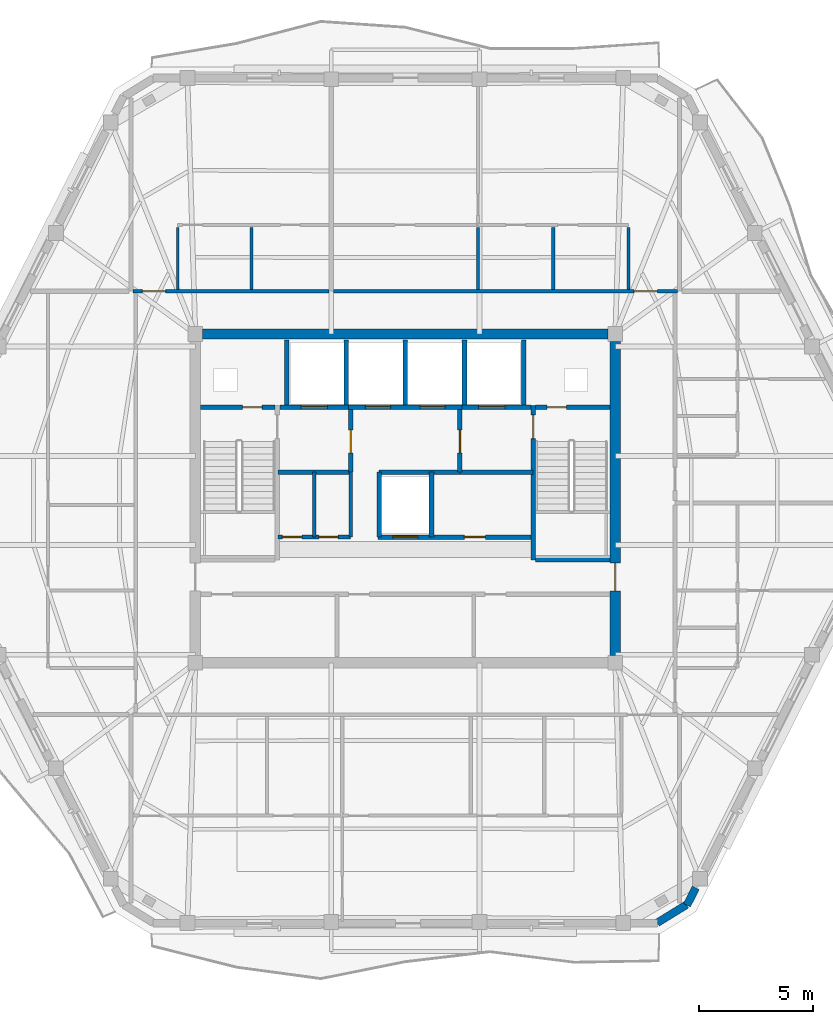
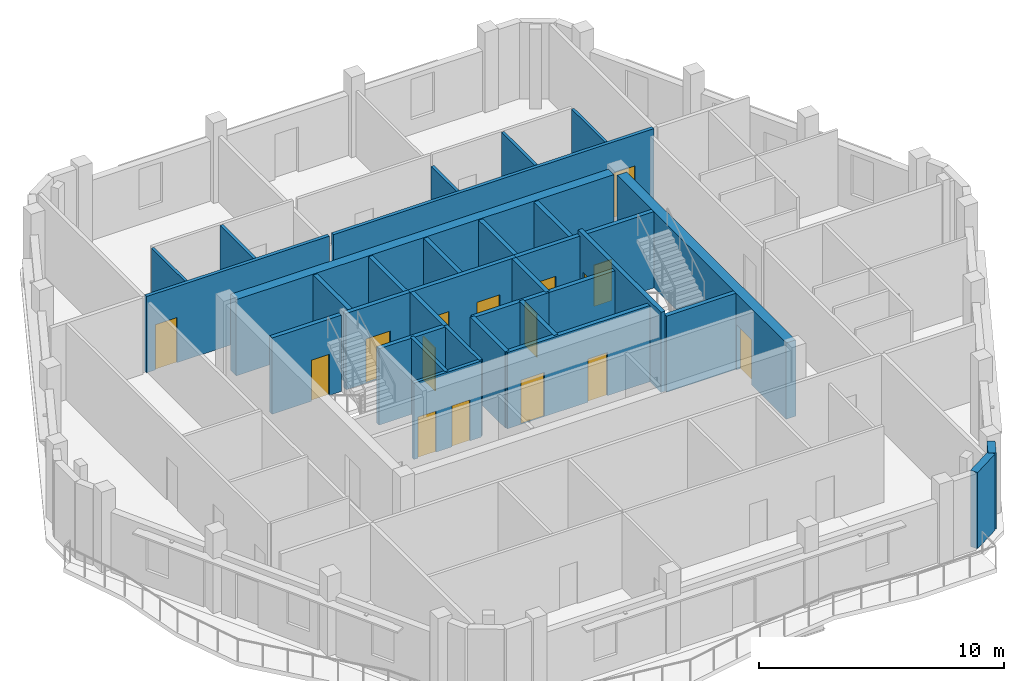
# One storey, part 5 of 10: 34 walls, 16 doors, 16 openings.
"""IFC4 building model written with IfcOpenShell, lengths in metres."""

from ifc_helpers import new_model, si_unit, direction, frame, frame_2d, origin, place, context, subcontext, project, spatial, rectangle, extrude, material, layer, layer_set, type_object, element, fill, save


model = new_model("IFC4")

# Units and contexts
model_context = context("Model", 3, precision=1e-05, world=origin(), true_north=direction((0.0, 1.0)))
body_context = subcontext(model_context, "Body", "Model", "MODEL_VIEW")
ifc_project = project(units=[si_unit("LENGTHUNIT", "METRE"), si_unit("AREAUNIT", "SQUARE_METRE"), si_unit("VOLUMEUNIT", "CUBIC_METRE"), si_unit("PLANEANGLEUNIT", "RADIAN"), si_unit("MASSUNIT", "GRAM", prefix="KILO")], contexts=[model_context])

# Site, building, storey
site_placement = place(None, origin())
site = spatial("IfcSite", under=ifc_project, at=site_placement, CompositionType="ELEMENT")
building_placement = place(site_placement, origin())
building = spatial("IfcBuilding", under=site, at=building_placement, Name="Cinnabar Lancet Tower", CompositionType="ELEMENT")
storey_placement = place(building_placement, frame((0.0, 0.0, 287.5)))
storey = spatial("IfcBuildingStorey", under=building, at=storey_placement, Name="L76", CompositionType="ELEMENT", Elevation=287.5)

# Wall, openings, doors
ifc_material_1 = material(Name="Acoustic twin-stud gypsum partition", Category="gypsum")
ifc_layer_1 = layer(ifc_material_1, 0.159912109375)
ifc_layer_set_1 = layer_set([ifc_layer_1], Name="Acoustic twin-stud gypsum partition")
wall_type_1 = type_object("IfcWallType", Name="ARC-WL-CORR-160", PredefinedType="PARTITIONING", material=ifc_layer_set_1)
wall_1_placement = place(storey_placement, frame((26.800048828125, 24.199951171875, 0.0), z_axis=(0.0, 0.0, 1.0), x_axis=(1.0, 0.0, 0.0)))
wall_1 = element("IfcWall", 1, at=wall_1_placement, inside=storey, type_object=wall_type_1, Name="CW-REC5S-L76", PredefinedType="PARTITIONING", context=body_context, shape_type="SweptSolid", body=[
    extrude(rectangle(XDim=3.199951171875, YDim=0.159912109375, at=frame_2d((1.60009765625, 0.0))), origin(), (0.0, 0.0, 1.0), 3.800048828125),
])
opening_1_placement = place(wall_1_placement, frame((0.199951171875, 0.0, 0.0)))
opening_1 = element("IfcOpeningElement", 2, at=opening_1_placement, cuts=wall_1, Name="Opening PD-02", PredefinedType="OPENING", context=body_context, shape_type="SweptSolid", body=[
    extrude(rectangle(XDim=0.85009765625, YDim=2.050048828125, at=frame_2d((0.425048828125, 1.02490234375))), frame((0.0, 0.08984375, 0.0), z_axis=(0.0, -1.0, 0.0), x_axis=(1.0, 0.0, 0.0)), (0.0, 0.0, 1.0), 0.179931640625),
])
opening_2_placement = place(wall_1_placement, frame((1.800048828125, 0.0, 0.0)))
opening_2 = element("IfcOpeningElement", 3, at=opening_2_placement, cuts=wall_1, Name="Opening PD-02", PredefinedType="OPENING", context=body_context, shape_type="SweptSolid", body=[
    extrude(rectangle(XDim=0.85009765625, YDim=2.050048828125, at=frame_2d((0.425048828125, 1.02490234375))), frame((0.0, 0.08984375, 0.0), z_axis=(0.0, -1.0, 0.0), x_axis=(1.0, 0.0, 0.0)), (0.0, 0.0, 1.0), 0.179931640625),
])
ifc_material_2 = material(Name="Fire-rated steel riser access door", Category="steel")
door_type_1 = type_object("IfcDoorType", Name="ARC-DR-RISER", OperationType="NOTDEFINED", PredefinedType="DOOR", material=ifc_material_2)
door_1_placement = place(opening_1_placement, origin())
door_1 = element("IfcDoor", 4, at=door_1_placement, inside=storey, type_object=door_type_1, Name="DR-L76-REC5A", OperationType="SINGLE_SWING_LEFT", OverallHeight=2.050048828125, OverallWidth=0.85009765625, PredefinedType="DOOR", context=body_context, shape_type="SweptSolid", body=[
    extrude(rectangle(XDim=0.85009765625, YDim=2.050048828125, at=frame_2d((0.425048828125, 1.02490234375))), frame((0.0, 0.02490234375, 0.0), z_axis=(0.0, -1.0, 0.0), x_axis=(1.0, 0.0, 0.0)), (0.0, 0.0, 1.0), 0.050048828125),
])
fill(opening_1, door_1)
door_2_placement = place(opening_2_placement, origin())
door_2 = element("IfcDoor", 5, at=door_2_placement, inside=storey, type_object=door_type_1, Name="DR-L76-REC5B", OperationType="SINGLE_SWING_RIGHT", OverallHeight=2.050048828125, OverallWidth=0.85009765625, PredefinedType="DOOR", context=body_context, shape_type="SweptSolid", body=[
    extrude(rectangle(XDim=0.85009765625, YDim=2.050048828125, at=frame_2d((0.425048828125, 1.02490234375))), frame((0.0, 0.02490234375, 0.0), z_axis=(0.0, -1.0, 0.0), x_axis=(1.0, 0.0, 0.0)), (0.0, 0.0, 1.0), 0.050048828125),
])
fill(opening_2, door_2)

# Walls
for number, where, z_axis, x_axis, name in (
    (6, (30.0, 24.199951171875, 0.0), (0.0, 0.0, 1.0), (0.0, 1.0, 0.0), "CW-REC5E-L76"),
    (7, (28.39990234375, 24.199951171875, 0.0), (0.0, 0.0, 1.0), (0.0, 1.0, 0.0), "CW-REC5D-L76"),
):
    element("IfcWall", number, at=place(storey_placement, frame(where, z_axis=z_axis, x_axis=x_axis)), inside=storey, type_object=wall_type_1, Name=name, PredefinedType="PARTITIONING", context=body_context, shape_type="SweptSolid", body=[
        extrude(rectangle(XDim=2.85009765625, YDim=0.159912109375, at=frame_2d((1.425048828125, 0.0))), origin(), (0.0, 0.0, 1.0), 3.800048828125),
    ])

# Wall, opening, door
wall_2_placement = place(storey_placement, frame((20.445068359375, 35.0, 0.0), z_axis=(0.0, 0.0, 1.0), x_axis=(1.0, 0.0, 0.0)))
wall_2 = element("IfcWall", 8, at=wall_2_placement, inside=storey, type_object=wall_type_1, Name="L76 Unit N01 Corridor Wall", PredefinedType="PARTITIONING", context=body_context, shape_type="SweptSolid", body=[
    extrude(rectangle(XDim=8.60595703125, YDim=0.159912109375, at=frame_2d((4.302978515625, 0.0))), origin(), (0.0, 0.0, 1.0), 3.800048828125),
])
opening_3_placement = place(wall_2_placement, frame((0.405029296875, 0.0, 0.0)))
opening_3 = element("IfcOpeningElement", 9, at=opening_3_placement, cuts=wall_2, Name="Opening UD-01", PredefinedType="OPENING", context=body_context, shape_type="SweptSolid", body=[
    extrude(rectangle(XDim=1.02001953125, YDim=2.25, at=frame_2d((0.510009765625, 1.125))), frame((0.0, 0.08984375, 0.0), z_axis=(0.0, -1.0, 0.0), x_axis=(1.0, 0.0, 0.0)), (0.0, 0.0, 1.0), 0.179931640625),
])
ifc_material_3 = material(Name="Solid timber fire-rated apartment entrance door", Category="wood")
door_type_2 = type_object("IfcDoorType", Name="ARC-DR-UNIT", OperationType="NOTDEFINED", PredefinedType="DOOR", material=ifc_material_3)
door_3_placement = place(opening_3_placement, origin())
door_3 = element("IfcDoor", 10, at=door_3_placement, inside=storey, type_object=door_type_2, Name="DR-L76-N01-ENT", OperationType="SINGLE_SWING_LEFT", OverallHeight=2.25, OverallWidth=1.02001953125, PredefinedType="DOOR", context=body_context, shape_type="SweptSolid", body=[
    extrude(rectangle(XDim=1.02001953125, YDim=2.25, at=frame_2d((0.510009765625, 1.125))), frame((0.0, 0.02490234375, 0.0), z_axis=(0.0, -1.0, 0.0), x_axis=(1.0, 0.0, 0.0)), (0.0, 0.0, 1.0), 0.050048828125),
])
fill(opening_3, door_3)

wall_3_placement = place(storey_placement, frame((29.240966796875, 35.0, 0.0), z_axis=(0.0, 0.0, 1.0), x_axis=(1.0, 0.0, 0.0)))
wall_3 = element("IfcWall", 11, at=wall_3_placement, inside=storey, type_object=wall_type_1, Name="L76 Unit N02 Corridor Wall", PredefinedType="PARTITIONING", context=body_context, shape_type="SweptSolid", body=[
    extrude(rectangle(XDim=15.114013671875, YDim=0.159912109375, at=frame_2d((7.55712890625, 0.0))), origin(), (0.0, 0.0, 1.0), 3.800048828125),
])
opening_4_placement = place(wall_3_placement, frame((13.208984375, 0.0, 0.0)))
opening_4 = element("IfcOpeningElement", 12, at=opening_4_placement, cuts=wall_3, Name="Opening UD-01", PredefinedType="OPENING", context=body_context, shape_type="SweptSolid", body=[
    extrude(rectangle(XDim=1.02001953125, YDim=2.25, at=frame_2d((0.510009765625, 1.125))), frame((0.0, 0.08984375, 0.0), z_axis=(0.0, -1.0, 0.0), x_axis=(1.0, 0.0, 0.0)), (0.0, 0.0, 1.0), 0.179931640625),
])
door_4_placement = place(opening_4_placement, origin())
door_4 = element("IfcDoor", 13, at=door_4_placement, inside=storey, type_object=door_type_2, Name="DR-L76-N02-ENT", OperationType="SINGLE_SWING_RIGHT", OverallHeight=2.25, OverallWidth=1.02001953125, PredefinedType="DOOR", context=body_context, shape_type="SweptSolid", body=[
    extrude(rectangle(XDim=1.02001953125, YDim=2.25, at=frame_2d((0.510009765625, 1.125))), frame((0.0, 0.02490234375, 0.0), z_axis=(0.0, -1.0, 0.0), x_axis=(1.0, 0.0, 0.0)), (0.0, 0.0, 1.0), 0.050048828125),
])
fill(opening_4, door_4)

# Wall
ifc_material_4 = material(Name="Autoclaved aerated concrete blockwork", Category="masonry")
ifc_layer_2 = layer(ifc_material_4, 0.199951171875)
ifc_layer_set_2 = layer_set([ifc_layer_2], Name="Autoclaved aerated concrete blockwork")
wall_type_2 = type_object("IfcWallType", Name="ARC-WL-SHAFT-200", PredefinedType="PLUMBINGWALL", material=ifc_layer_set_2)
wall_4_placement = place(storey_placement, frame((38.125, 23.199951171875, 0.0), z_axis=(0.0, 0.0, 1.0), x_axis=(1.0, 0.0, 0.0)))
element("IfcWall", 14, at=wall_4_placement, inside=storey, type_object=wall_type_2, Name="CW-ST2S-L76", PredefinedType="PLUMBINGWALL", context=body_context, shape_type="SweptSolid", body=[
    extrude(rectangle(XDim=3.27001953125, YDim=0.199951171875, at=frame_2d((1.635009765625, 0.0))), origin(), (0.0, 0.0, 1.0), 3.800048828125),
])

# Wall, opening, door
wall_5_placement = place(storey_placement, frame((23.405029296875, 29.89990234375, 0.0), z_axis=(0.0, 0.0, 1.0), x_axis=(1.0, 0.0, 0.0)))
wall_5 = element("IfcWall", 15, at=wall_5_placement, inside=storey, type_object=wall_type_2, Name="CW-NSH-W-L76", PredefinedType="PLUMBINGWALL", context=body_context, shape_type="SweptSolid", body=[
    extrude(rectangle(XDim=3.27001953125, YDim=0.199951171875, at=frame_2d((1.635009765625, 0.0))), origin(), (0.0, 0.0, 1.0), 3.800048828125),
])
opening_5_placement = place(wall_5_placement, frame((1.85009765625, 0.0, 0.0)))
opening_5 = element("IfcOpeningElement", 16, at=opening_5_placement, cuts=wall_5, Name="Opening PD-02", PredefinedType="OPENING", context=body_context, shape_type="SweptSolid", body=[
    extrude(rectangle(XDim=0.85009765625, YDim=2.050048828125, at=frame_2d((0.425048828125, 1.02490234375))), frame((0.0, 0.10986328125, 0.0), z_axis=(0.0, -1.0, 0.0), x_axis=(1.0, 0.0, 0.0)), (0.0, 0.0, 1.0), 0.219970703125),
])
door_5_placement = place(opening_5_placement, origin())
door_5 = element("IfcDoor", 17, at=door_5_placement, inside=storey, type_object=door_type_1, Name="L76 West Riser Access Door", OperationType="SINGLE_SWING_LEFT", OverallHeight=2.050048828125, OverallWidth=0.85009765625, PredefinedType="DOOR", context=body_context, shape_type="SweptSolid", body=[
    extrude(rectangle(XDim=0.85009765625, YDim=2.050048828125, at=frame_2d((0.425048828125, 1.02490234375))), frame((0.0, 0.02490234375, 0.0), z_axis=(0.0, -1.0, 0.0), x_axis=(1.0, 0.0, 0.0)), (0.0, 0.0, 1.0), 0.050048828125),
])
fill(opening_5, door_5)

wall_6_placement = place(storey_placement, frame((26.885009765625, 29.89990234375, 0.0), z_axis=(0.0, 0.0, 1.0), x_axis=(1.0, 0.0, 0.0)))
wall_6 = element("IfcWall", 18, at=wall_6_placement, inside=storey, type_object=wall_type_2, Name="CW-FL1-L76", PredefinedType="PLUMBINGWALL", context=body_context, shape_type="SweptSolid", body=[
    extrude(rectangle(XDim=3.014892578125, YDim=0.199951171875, at=frame_2d((1.50732421875, 0.0))), origin(), (0.0, 0.0, 1.0), 3.800048828125),
])
opening_6_placement = place(wall_6_placement, frame((0.93994140625, 0.0, 0.0)))
opening_6 = element("IfcOpeningElement", 19, at=opening_6_placement, cuts=wall_6, Name="Opening LD-02", PredefinedType="OPENING", context=body_context, shape_type="SweptSolid", body=[
    extrude(rectangle(XDim=1.14990234375, YDim=2.199951171875, at=frame_2d((0.574951171875, 1.10009765625))), frame((0.0, 0.10986328125, 0.0), z_axis=(0.0, -1.0, 0.0), x_axis=(1.0, 0.0, 0.0)), (0.0, 0.0, 1.0), 0.219970703125),
])
ifc_material_5 = material(Name="Fire-rated stainless steel firefighting lift landing door", Category="steel")
door_type_3 = type_object("IfcDoorType", Name="ARC-DR-LD-FIRE", OperationType="NOTDEFINED", PredefinedType="DOOR", material=ifc_material_5)
door_6_placement = place(opening_6_placement, origin())
door_6 = element("IfcDoor", 20, at=door_6_placement, inside=storey, type_object=door_type_3, Name="L76 Firefighting Lift FL-1 Landing Door", OperationType="DOUBLE_DOOR_SLIDING", OverallHeight=2.199951171875, OverallWidth=1.14990234375, PredefinedType="DOOR", context=body_context, shape_type="SweptSolid", body=[
    extrude(rectangle(XDim=1.14990234375, YDim=2.199951171875, at=frame_2d((0.574951171875, 1.10009765625))), frame((0.0, 0.02490234375, 0.0), z_axis=(0.0, -1.0, 0.0), x_axis=(1.0, 0.0, 0.0)), (0.0, 0.0, 1.0), 0.050048828125),
])
fill(opening_6, door_6)

# Wall, openings, doors
wall_7_placement = place(storey_placement, frame((29.89990234375, 29.89990234375, 0.0), z_axis=(0.0, 0.0, 1.0), x_axis=(1.0, 0.0, 0.0)))
wall_7 = element("IfcWall", 21, at=wall_7_placement, inside=storey, type_object=wall_type_2, Name="CW-PL78-L76", PredefinedType="PLUMBINGWALL", context=body_context, shape_type="SweptSolid", body=[
    extrude(rectangle(XDim=5.0, YDim=0.199951171875, at=frame_2d((2.5, 0.0))), origin(), (0.0, 0.0, 1.0), 3.800048828125),
])
opening_7_placement = place(wall_7_placement, frame((0.75, 0.0, 0.0)))
opening_7 = element("IfcOpeningElement", 22, at=opening_7_placement, cuts=wall_7, Name="Opening LD-01", PredefinedType="OPENING", context=body_context, shape_type="SweptSolid", body=[
    extrude(rectangle(XDim=1.10009765625, YDim=2.199951171875, at=frame_2d((0.550048828125, 1.10009765625))), frame((0.0, 0.10986328125, 0.0), z_axis=(0.0, -1.0, 0.0), x_axis=(1.0, 0.0, 0.0)), (0.0, 0.0, 1.0), 0.219970703125),
])
opening_8_placement = place(wall_7_placement, frame((3.14990234375, 0.0, 0.0)))
opening_8 = element("IfcOpeningElement", 23, at=opening_8_placement, cuts=wall_7, Name="Opening LD-01", PredefinedType="OPENING", context=body_context, shape_type="SweptSolid", body=[
    extrude(rectangle(XDim=1.10009765625, YDim=2.199951171875, at=frame_2d((0.550048828125, 1.10009765625))), frame((0.0, 0.10986328125, 0.0), z_axis=(0.0, -1.0, 0.0), x_axis=(1.0, 0.0, 0.0)), (0.0, 0.0, 1.0), 0.219970703125),
])
ifc_material_6 = material(Name="Brushed stainless steel sliding lift door", Category="steel")
door_type_4 = type_object("IfcDoorType", Name="ARC-DR-LD-PASS", OperationType="NOTDEFINED", PredefinedType="DOOR", material=ifc_material_6)
door_7_placement = place(opening_7_placement, origin())
door_7 = element("IfcDoor", 24, at=door_7_placement, inside=storey, type_object=door_type_4, Name="L76 Lift PL-7 Landing Door", OperationType="DOUBLE_DOOR_SLIDING", OverallHeight=2.199951171875, OverallWidth=1.10009765625, PredefinedType="DOOR", context=body_context, shape_type="SweptSolid", body=[
    extrude(rectangle(XDim=1.10009765625, YDim=2.199951171875, at=frame_2d((0.550048828125, 1.10009765625))), frame((0.0, 0.02490234375, 0.0), z_axis=(0.0, -1.0, 0.0), x_axis=(1.0, 0.0, 0.0)), (0.0, 0.0, 1.0), 0.050048828125),
])
fill(opening_7, door_7)
door_8_placement = place(opening_8_placement, origin())
door_8 = element("IfcDoor", 25, at=door_8_placement, inside=storey, type_object=door_type_4, Name="L76 Lift PL-8 Landing Door", OperationType="DOUBLE_DOOR_SLIDING", OverallHeight=2.199951171875, OverallWidth=1.10009765625, PredefinedType="DOOR", context=body_context, shape_type="SweptSolid", body=[
    extrude(rectangle(XDim=1.10009765625, YDim=2.199951171875, at=frame_2d((0.550048828125, 1.10009765625))), frame((0.0, 0.02490234375, 0.0), z_axis=(0.0, -1.0, 0.0), x_axis=(1.0, 0.0, 0.0)), (0.0, 0.0, 1.0), 0.050048828125),
])
fill(opening_8, door_8)

# Wall, opening, door
wall_8_placement = place(storey_placement, frame((34.89990234375, 29.89990234375, 0.0), z_axis=(0.0, 0.0, 1.0), x_axis=(1.0, 0.0, 0.0)))
wall_8 = element("IfcWall", 26, at=wall_8_placement, inside=storey, type_object=wall_type_2, Name="CW-FL2-L76", PredefinedType="PLUMBINGWALL", context=body_context, shape_type="SweptSolid", body=[
    extrude(rectangle(XDim=3.01513671875, YDim=0.199951171875, at=frame_2d((1.507568359375, 0.0))), origin(), (0.0, 0.0, 1.0), 3.800048828125),
])
opening_9_placement = place(wall_8_placement, frame((0.72509765625, 0.0, 0.0)))
opening_9 = element("IfcOpeningElement", 27, at=opening_9_placement, cuts=wall_8, Name="Opening LD-02", PredefinedType="OPENING", context=body_context, shape_type="SweptSolid", body=[
    extrude(rectangle(XDim=1.14990234375, YDim=2.199951171875, at=frame_2d((0.574951171875, 1.10009765625))), frame((0.0, 0.10986328125, 0.0), z_axis=(0.0, -1.0, 0.0), x_axis=(1.0, 0.0, 0.0)), (0.0, 0.0, 1.0), 0.219970703125),
])
door_9_placement = place(opening_9_placement, origin())
door_9 = element("IfcDoor", 28, at=door_9_placement, inside=storey, type_object=door_type_3, Name="L76 Firefighting Lift FL-2 Landing Door", OperationType="DOUBLE_DOOR_SLIDING", OverallHeight=2.199951171875, OverallWidth=1.14990234375, PredefinedType="DOOR", context=body_context, shape_type="SweptSolid", body=[
    extrude(rectangle(XDim=1.14990234375, YDim=2.199951171875, at=frame_2d((0.574951171875, 1.10009765625))), frame((0.0, 0.02490234375, 0.0), z_axis=(0.0, -1.0, 0.0), x_axis=(1.0, 0.0, 0.0)), (0.0, 0.0, 1.0), 0.050048828125),
])
fill(opening_9, door_9)

wall_9_placement = place(storey_placement, frame((38.125, 29.89990234375, 0.0), z_axis=(0.0, 0.0, 1.0), x_axis=(1.0, 0.0, 0.0)))
wall_9 = element("IfcWall", 29, at=wall_9_placement, inside=storey, type_object=wall_type_2, Name="CW-NSH-E-L76", PredefinedType="PLUMBINGWALL", context=body_context, shape_type="SweptSolid", body=[
    extrude(rectangle(XDim=3.27001953125, YDim=0.199951171875, at=frame_2d((1.635009765625, 0.0))), origin(), (0.0, 0.0, 1.0), 3.800048828125),
])
opening_10_placement = place(wall_9_placement, frame((0.5, 0.0, 0.0)))
opening_10 = element("IfcOpeningElement", 30, at=opening_10_placement, cuts=wall_9, Name="Opening PD-02", PredefinedType="OPENING", context=body_context, shape_type="SweptSolid", body=[
    extrude(rectangle(XDim=0.85009765625, YDim=2.050048828125, at=frame_2d((0.425048828125, 1.02490234375))), frame((0.0, 0.10986328125, 0.0), z_axis=(0.0, -1.0, 0.0), x_axis=(1.0, 0.0, 0.0)), (0.0, 0.0, 1.0), 0.219970703125),
])
door_10_placement = place(opening_10_placement, origin())
door_10 = element("IfcDoor", 31, at=door_10_placement, inside=storey, type_object=door_type_1, Name="L76 East Riser Access Door", OperationType="SINGLE_SWING_RIGHT", OverallHeight=2.050048828125, OverallWidth=0.85009765625, PredefinedType="DOOR", context=body_context, shape_type="SweptSolid", body=[
    extrude(rectangle(XDim=0.85009765625, YDim=2.050048828125, at=frame_2d((0.425048828125, 1.02490234375))), frame((0.0, 0.02490234375, 0.0), z_axis=(0.0, -1.0, 0.0), x_axis=(1.0, 0.0, 0.0)), (0.0, 0.0, 1.0), 0.050048828125),
])
fill(opening_10, door_10)

# Walls
for number, where, z_axis, x_axis, name in (
    (32, (27.199951171875, 30.0, 0.0), (0.0, 0.0, 1.0), (0.0, 1.0, 0.0), "CW-NSH-D1-L76"),
    (33, (29.800048828125, 30.0, 0.0), (0.0, 0.0, 1.0), (0.0, 1.0, 0.0), "CW-NSH-D2-L76"),
    (34, (32.39990234375, 30.0, 0.0), (0.0, 0.0, 1.0), (0.0, 1.0, 0.0), "CW-NSH-D3-L76"),
    (35, (35.0, 30.0, 0.0), (0.0, 0.0, 1.0), (0.0, 1.0, 0.0), "CW-NSH-D4-L76"),
    (36, (37.60009765625, 30.0, 0.0), (0.0, 0.0, 1.0), (0.0, 1.0, 0.0), "CW-NSH-D5-L76"),
):
    element("IfcWall", number, at=place(storey_placement, frame(where, z_axis=z_axis, x_axis=x_axis)), inside=storey, type_object=wall_type_2, Name=name, PredefinedType="PLUMBINGWALL", context=body_context, shape_type="SweptSolid", body=[
        extrude(rectangle(XDim=2.85009765625, YDim=0.199951171875, at=frame_2d((1.425048828125, 0.0))), origin(), (0.0, 0.0, 1.0), 3.800048828125),
    ])

# Wall, opening, door
wall_10_placement = place(storey_placement, frame((30.0, 27.050048828125, 0.0), z_axis=(0.0, 0.0, 1.0), x_axis=(0.0, 1.0, 0.0)))
wall_10 = element("IfcWall", 37, at=wall_10_placement, inside=storey, type_object=wall_type_2, Name="CW-FF1E-L76", PredefinedType="PLUMBINGWALL", context=body_context, shape_type="SweptSolid", body=[
    extrude(rectangle(XDim=2.75, YDim=0.199951171875, at=frame_2d((1.375, 0.0))), origin(), (0.0, 0.0, 1.0), 3.800048828125),
])
opening_11_placement = place(wall_10_placement, frame((0.85009765625, 0.0, 0.0)))
opening_11 = element("IfcOpeningElement", 38, at=opening_11_placement, cuts=wall_10, Name="Opening FD-01", PredefinedType="OPENING", context=body_context, shape_type="SweptSolid", body=[
    extrude(rectangle(XDim=1.0, YDim=2.14990234375, at=frame_2d((0.5, 1.074951171875))), frame((0.0, 0.10986328125, 0.0), z_axis=(0.0, -1.0, 0.0), x_axis=(1.0, 0.0, 0.0)), (0.0, 0.0, 1.0), 0.219970703125),
])
ifc_material_7 = material(Name="Fire-rated timber-core lobby door", Category="wood")
door_type_5 = type_object("IfcDoorType", Name="ARC-DR-FFAL", OperationType="NOTDEFINED", PredefinedType="DOOR", material=ifc_material_7)
door_11_placement = place(opening_11_placement, origin())
door_11 = element("IfcDoor", 39, at=door_11_placement, inside=storey, type_object=door_type_5, Name="L76 FFAL-1 Lobby Fire Door", OperationType="SINGLE_SWING_RIGHT", OverallHeight=2.14990234375, OverallWidth=1.0, PredefinedType="DOOR", context=body_context, shape_type="SweptSolid", body=[
    extrude(rectangle(XDim=1.0, YDim=2.14990234375, at=frame_2d((0.5, 1.074951171875))), frame((0.0, 0.02490234375, 0.0), z_axis=(0.0, -1.0, 0.0), x_axis=(1.0, 0.0, 0.0)), (0.0, 0.0, 1.0), 0.050048828125),
])
fill(opening_11, door_11)

# Wall
wall_11_placement = place(storey_placement, frame((26.800048828125, 27.050048828125, 0.0), z_axis=(0.0, 0.0, 1.0), x_axis=(1.0, 0.0, 0.0)))
element("IfcWall", 40, at=wall_11_placement, inside=storey, type_object=wall_type_2, Name="CW-FF1S-L76", PredefinedType="PLUMBINGWALL", context=body_context, shape_type="SweptSolid", body=[
    extrude(rectangle(XDim=3.199951171875, YDim=0.199951171875, at=frame_2d((1.60009765625, 0.0))), origin(), (0.0, 0.0, 1.0), 3.800048828125),
])

# Wall, opening, door
wall_12_placement = place(storey_placement, frame((34.800048828125, 27.050048828125, 0.0), z_axis=(0.0, 0.0, 1.0), x_axis=(0.0, 1.0, 0.0)))
wall_12 = element("IfcWall", 41, at=wall_12_placement, inside=storey, type_object=wall_type_2, Name="CW-FF2W-L76", PredefinedType="PLUMBINGWALL", context=body_context, shape_type="SweptSolid", body=[
    extrude(rectangle(XDim=2.75, YDim=0.199951171875, at=frame_2d((1.375, 0.0))), origin(), (0.0, 0.0, 1.0), 3.800048828125),
])
opening_12_placement = place(wall_12_placement, frame((0.85009765625, 0.0, 0.0)))
opening_12 = element("IfcOpeningElement", 42, at=opening_12_placement, cuts=wall_12, Name="Opening FD-01", PredefinedType="OPENING", context=body_context, shape_type="SweptSolid", body=[
    extrude(rectangle(XDim=1.0, YDim=2.14990234375, at=frame_2d((0.5, 1.074951171875))), frame((0.0, 0.10986328125, 0.0), z_axis=(0.0, -1.0, 0.0), x_axis=(1.0, 0.0, 0.0)), (0.0, 0.0, 1.0), 0.219970703125),
])
door_12_placement = place(opening_12_placement, origin())
door_12 = element("IfcDoor", 43, at=door_12_placement, inside=storey, type_object=door_type_5, Name="L76 FFAL-2 Lobby Fire Door", OperationType="SINGLE_SWING_LEFT", OverallHeight=2.14990234375, OverallWidth=1.0, PredefinedType="DOOR", context=body_context, shape_type="SweptSolid", body=[
    extrude(rectangle(XDim=1.0, YDim=2.14990234375, at=frame_2d((0.5, 1.074951171875))), frame((0.0, 0.02490234375, 0.0), z_axis=(0.0, -1.0, 0.0), x_axis=(1.0, 0.0, 0.0)), (0.0, 0.0, 1.0), 0.050048828125),
])
fill(opening_12, door_12)

# Wall
wall_13_placement = place(storey_placement, frame((34.800048828125, 27.050048828125, 0.0), z_axis=(0.0, 0.0, 1.0), x_axis=(1.0, 0.0, 0.0)))
element("IfcWall", 44, at=wall_13_placement, inside=storey, type_object=wall_type_2, Name="CW-FF2S-L76", PredefinedType="PLUMBINGWALL", context=body_context, shape_type="SweptSolid", body=[
    extrude(rectangle(XDim=3.199951171875, YDim=0.199951171875, at=frame_2d((1.60009765625, 0.0))), origin(), (0.0, 0.0, 1.0), 3.800048828125),
])

# Wall, openings, doors
wall_14_placement = place(storey_placement, frame((31.199951171875, 24.199951171875, 0.0), z_axis=(0.0, 0.0, 1.0), x_axis=(1.0, 0.0, 0.0)))
wall_14 = element("IfcWall", 45, at=wall_14_placement, inside=storey, type_object=wall_type_2, Name="CW-PL96S-L76", PredefinedType="PLUMBINGWALL", context=body_context, shape_type="SweptSolid", body=[
    extrude(rectangle(XDim=6.800048828125, YDim=0.199951171875, at=frame_2d((3.39990234375, 0.0))), origin(), (0.0, 0.0, 1.0), 3.800048828125),
])
opening_13_placement = place(wall_14_placement, frame((0.64990234375, 0.0, 0.0)))
opening_13 = element("IfcOpeningElement", 46, at=opening_13_placement, cuts=wall_14, Name="Opening LD-01", PredefinedType="OPENING", context=body_context, shape_type="SweptSolid", body=[
    extrude(rectangle(XDim=1.10009765625, YDim=2.199951171875, at=frame_2d((0.550048828125, 1.10009765625))), frame((0.0, 0.10986328125, 0.0), z_axis=(0.0, -1.0, 0.0), x_axis=(1.0, 0.0, 0.0)), (0.0, 0.0, 1.0), 0.219970703125),
])
opening_14_placement = place(wall_14_placement, frame((3.800048828125, 0.0, 0.0)))
opening_14 = element("IfcOpeningElement", 47, at=opening_14_placement, cuts=wall_14, Name="Opening RD-01", PredefinedType="OPENING", context=body_context, shape_type="SweptSolid", body=[
    extrude(rectangle(XDim=0.919921875, YDim=2.14990234375, at=frame_2d((0.4599609375, 1.074951171875))), frame((0.0, 0.10986328125, 0.0), z_axis=(0.0, -1.0, 0.0), x_axis=(1.0, 0.0, 0.0)), (0.0, 0.0, 1.0), 0.219970703125),
])
door_13_placement = place(opening_13_placement, origin())
door_13 = element("IfcDoor", 48, at=door_13_placement, inside=storey, type_object=door_type_4, Name="L76 Lift PL-9 Landing Door", OperationType="DOUBLE_DOOR_SLIDING", OverallHeight=2.199951171875, OverallWidth=1.10009765625, PredefinedType="DOOR", context=body_context, shape_type="SweptSolid", body=[
    extrude(rectangle(XDim=1.10009765625, YDim=2.199951171875, at=frame_2d((0.550048828125, 1.10009765625))), frame((0.0, 0.02490234375, 0.0), z_axis=(0.0, -1.0, 0.0), x_axis=(1.0, 0.0, 0.0)), (0.0, 0.0, 1.0), 0.050048828125),
])
fill(opening_13, door_13)
ifc_material_8 = material(Name="Engineered timber bedroom door", Category="wood")
door_type_6 = type_object("IfcDoorType", Name="ARC-DR-ROOM", OperationType="NOTDEFINED", PredefinedType="DOOR", material=ifc_material_8)
door_14_placement = place(opening_14_placement, origin())
door_14 = element("IfcDoor", 49, at=door_14_placement, inside=storey, type_object=door_type_6, Name="DR-L76-REC6", OperationType="SINGLE_SWING_RIGHT", OverallHeight=2.14990234375, OverallWidth=0.919921875, PredefinedType="DOOR", context=body_context, shape_type="SweptSolid", body=[
    extrude(rectangle(XDim=0.919921875, YDim=2.14990234375, at=frame_2d((0.4599609375, 1.074951171875))), frame((0.0, 0.02490234375, 0.0), z_axis=(0.0, -1.0, 0.0), x_axis=(1.0, 0.0, 0.0)), (0.0, 0.0, 1.0), 0.050048828125),
])
fill(opening_14, door_14)

# Walls
for number, where, z_axis, x_axis, name in (
    (50, (31.25, 24.199951171875, 0.0), (0.0, 0.0, 1.0), (0.0, 1.0, 0.0), "CW-PL9W-L76"),
    (51, (33.550048828125, 24.199951171875, 0.0), (0.0, 0.0, 1.0), (0.0, 1.0, 0.0), "CW-PL9E-L76"),
):
    element("IfcWall", number, at=place(storey_placement, frame(where, z_axis=z_axis, x_axis=x_axis)), inside=storey, type_object=wall_type_2, Name=name, PredefinedType="PLUMBINGWALL", context=body_context, shape_type="SweptSolid", body=[
        extrude(rectangle(XDim=2.85009765625, YDim=0.199951171875, at=frame_2d((1.425048828125, 0.0))), origin(), (0.0, 0.0, 1.0), 3.800048828125),
    ])
wall_15_placement = place(storey_placement, frame((31.25, 27.050048828125, 0.0), z_axis=(0.0, 0.0, 1.0), x_axis=(1.0, 0.0, 0.0)))
element("IfcWall", 52, at=wall_15_placement, inside=storey, type_object=wall_type_2, Name="CW-PL96N-L76", PredefinedType="PLUMBINGWALL", context=body_context, shape_type="SweptSolid", body=[
    extrude(rectangle(XDim=3.550048828125, YDim=0.199951171875, at=frame_2d((1.77490234375, 0.0))), origin(), (0.0, 0.0, 1.0), 3.800048828125),
])
ifc_material_9 = material(Name="Gypsum plasterboard stud partition", Category="gypsum")
ifc_layer_3 = layer(ifc_material_9, 0.125)
ifc_layer_set_3 = layer_set([ifc_layer_3], Name="Gypsum plasterboard stud partition")
wall_type_3 = type_object("IfcWallType", Name="ARC-WL-UNIT-125", PredefinedType="PARTITIONING", material=ifc_layer_set_3)
for number, where, z_axis, x_axis, name in (
    (53, (22.39990234375, 35.0849609375, 0.0), (0.0, 0.0, 1.0), (0.0, 1.0, 0.0), "UW-L76-N01-FOYE"),
    (54, (42.199951171875, 35.0849609375, 0.0), (0.0, 0.0, 1.0), (0.0, 1.0, 0.0), "UW-L76-N02-FOYW"),
):
    element("IfcWall", number, at=place(storey_placement, frame(where, z_axis=z_axis, x_axis=x_axis)), inside=storey, type_object=wall_type_3, Name=name, PredefinedType="PARTITIONING", context=body_context, shape_type="SweptSolid", body=[
        extrude(rectangle(XDim=2.72509765625, YDim=0.125, at=frame_2d((1.362548828125, 0.0))), origin(), (0.0, 0.0, 1.0), 3.800048828125),
    ])
ifc_material_10 = material(Name="Moisture-resistant cement-board plumbing wall", Category="masonry")
ifc_layer_4 = layer(ifc_material_10, 0.139892578125)
ifc_layer_set_4 = layer_set([ifc_layer_4], Name="Moisture-resistant cement-board plumbing wall")
wall_type_4 = type_object("IfcWallType", Name="ARC-WL-WET-140", PredefinedType="PLUMBINGWALL", material=ifc_layer_set_4)
for number, where, z_axis, x_axis, name in (
    (55, (25.637939453125, 35.0849609375, 0.0), (0.0, 0.0, 1.0), (0.0, 1.0, 0.0), "UW-L76-N01-KDV"),
    (56, (38.89794921875, 35.0849609375, 0.0), (0.0, 0.0, 1.0), (0.0, 1.0, 0.0), "UW-L76-N02-KBD"),
):
    element("IfcWall", number, at=place(storey_placement, frame(where, z_axis=z_axis, x_axis=x_axis)), inside=storey, type_object=wall_type_4, Name=name, PredefinedType="PLUMBINGWALL", context=body_context, shape_type="SweptSolid", body=[
        extrude(rectangle(XDim=2.72509765625, YDim=0.139892578125, at=frame_2d((1.362548828125, 0.0))), origin(), (0.0, 0.0, 1.0), 3.800048828125),
    ])
wall_16_placement = place(storey_placement, frame((35.596923828125, 35.0849609375, 0.0), z_axis=(0.0, 0.0, 1.0), x_axis=(0.0, 1.0, 0.0)))
element("IfcWall", 57, at=wall_16_placement, inside=storey, type_object=wall_type_4, Name="UW-L76-N02-ENSW", PredefinedType="PLUMBINGWALL", context=body_context, shape_type="SweptSolid", body=[
    extrude(rectangle(XDim=2.72509765625, YDim=0.139892578125, at=frame_2d((1.362548828125, 0.0))), origin(), (0.0, 0.0, 1.0), 3.257080078125),
])
ifc_material_11 = material(Name="Cinnabar red clay brick", Category="masonry")
ifc_layer_5 = layer(ifc_material_11, 0.340087890625)
ifc_layer_set_5 = layer_set([ifc_layer_5], Name="Cinnabar red clay brick")
wall_type_5 = type_object("IfcWallType", Name="ENV-WL-BRK-RED-340", PredefinedType="STANDARD", material=ifc_layer_set_5)
wall_17_placement = place(storey_placement, frame((43.468994140625, 7.2548828125, 0.0), z_axis=(0.0, 0.0, 1.0), x_axis=(0.851680557619, 0.52406128246, 0.0)))
element("IfcWall", 58, at=wall_17_placement, inside=storey, type_object=wall_type_5, Name="L76 Chamfered Corner Brick Pier 2.1", PredefinedType="STANDARD", context=body_context, shape_type="SweptSolid", body=[
    extrude(rectangle(XDim=1.507568359375, YDim=0.340087890625, at=frame_2d((0.75390625, 0.0))), origin(), (0.0, 0.0, 1.0), 3.800048828125),
])
wall_18_placement = place(storey_placement, frame((44.77294921875, 8.029052734375, 0.0), z_axis=(0.0, 0.0, 1.0), x_axis=(0.451907025977, 0.8920650424, 0.0)))
element("IfcWall", 59, at=wall_18_placement, inside=storey, type_object=wall_type_5, Name="L76 Face 2 Masonry Bay Wall 1", PredefinedType="STANDARD", context=body_context, shape_type="SweptSolid", body=[
    extrude(rectangle(XDim=0.85205078125, YDim=0.340087890625, at=frame_2d((0.426025390625, 0.0))), origin(), (0.0, 0.0, 1.0), 3.800048828125),
])
ifc_material_12 = material(Name="Concrete C50/60", Category="concrete")
ifc_layer_6 = layer(ifc_material_12, 0.449951171875)
ifc_layer_set_6 = layer_set([ifc_layer_6], Name="Concrete C50/60")
wall_type_6 = type_object("IfcWallType", Name="STR-WL-CORE-450", PredefinedType="SHEAR", material=ifc_layer_set_6)
wall_19_placement = place(storey_placement, frame((23.5, 33.125, 0.0), z_axis=(0.0, 0.0, 1.0), x_axis=(1.0, 0.0, 0.0)))
element("IfcWall", 60, at=wall_19_placement, inside=storey, type_object=wall_type_6, Name="L76 Core Shear Wall N", PredefinedType="SHEAR", context=body_context, shape_type="SweptSolid", body=[
    extrude(rectangle(XDim=17.800048828125, YDim=0.449951171875, at=frame_2d((8.89990234375, 0.0))), origin(), (0.0, 0.0, 1.0), 3.800048828125),
])

# Wall, opening, door
wall_20_placement = place(storey_placement, frame((41.625, 19.0, 0.0), z_axis=(0.0, 0.0, 1.0), x_axis=(0.0, 1.0, 0.0)))
wall_20 = element("IfcWall", 61, at=wall_20_placement, inside=storey, type_object=wall_type_6, Name="L76 Core Shear Wall E", PredefinedType="SHEAR", context=body_context, shape_type="SweptSolid", body=[
    extrude(rectangle(XDim=13.800048828125, YDim=0.449951171875, at=frame_2d((6.89990234375, 0.0))), origin(), (0.0, 0.0, 1.0), 3.800048828125),
])
opening_15_placement = place(wall_20_placement, frame((2.840087890625, 0.0, 0.0)))
opening_15 = element("IfcOpeningElement", 62, at=opening_15_placement, cuts=wall_20, Name="Opening FD-02", PredefinedType="OPENING", context=body_context, shape_type="SweptSolid", body=[
    extrude(rectangle(XDim=1.219970703125, YDim=2.25, at=frame_2d((0.60986328125, 1.125))), frame((0.0, 0.23486328125, 0.0), z_axis=(0.0, -1.0, 0.0), x_axis=(1.0, 0.0, 0.0)), (0.0, 0.0, 1.0), 0.469970703125),
])
ifc_material_13 = material(Name="Fire-rated double-vision core portal door", Category="wood")
door_type_7 = type_object("IfcDoorType", Name="ARC-DR-CPORT", OperationType="NOTDEFINED", PredefinedType="DOOR", material=ifc_material_13)
door_15_placement = place(opening_15_placement, origin())
door_15 = element("IfcDoor", 63, at=door_15_placement, inside=storey, type_object=door_type_7, Name="L76 East Core Lobby Fire Door", OperationType="SINGLE_SWING_LEFT", OverallHeight=2.25, OverallWidth=1.219970703125, PredefinedType="DOOR", context=body_context, shape_type="SweptSolid", body=[
    extrude(rectangle(XDim=1.219970703125, YDim=2.25, at=frame_2d((0.60986328125, 1.125))), frame((0.0, 0.02490234375, 0.0), z_axis=(0.0, -1.0, 0.0), x_axis=(1.0, 0.0, 0.0)), (0.0, 0.0, 1.0), 0.050048828125),
])
fill(opening_15, door_15)

ifc_material_14 = material(Name="Concrete C50/60", Category="concrete")
ifc_layer_7 = layer(ifc_material_14, 0.199951171875)
ifc_layer_set_7 = layer_set([ifc_layer_7], Name="Concrete C50/60")
wall_type_7 = type_object("IfcWallType", Name="STR-WL-STAIR-200", PredefinedType="SHEAR", material=ifc_layer_set_7)
wall_21_placement = place(storey_placement, frame((38.02001953125, 23.199951171875, 0.0), z_axis=(0.0, 0.0, 1.0), x_axis=(0.0, 1.0, 0.0)))
wall_21 = element("IfcWall", 64, at=wall_21_placement, inside=storey, type_object=wall_type_7, Name="L76 Stair ST-2 Structural Enclosure Wall", PredefinedType="SHEAR", context=body_context, shape_type="SweptSolid", body=[
    extrude(rectangle(XDim=6.780029296875, YDim=0.199951171875, at=frame_2d((3.39013671875, 0.0))), origin(), (0.0, 0.0, 1.0), 4.0),
])
opening_16_placement = place(wall_21_placement, frame((5.320068359375, 0.0, 0.0)))
opening_16 = element("IfcOpeningElement", 65, at=opening_16_placement, cuts=wall_21, Name="Opening SD-01", PredefinedType="OPENING", context=body_context, shape_type="SweptSolid", body=[
    extrude(rectangle(XDim=1.050048828125, YDim=2.14990234375, at=frame_2d((0.52490234375, 1.074951171875))), frame((0.0, 0.10986328125, 0.0), z_axis=(0.0, -1.0, 0.0), x_axis=(1.0, 0.0, 0.0)), (0.0, 0.0, 1.0), 0.219970703125),
])
ifc_material_15 = material(Name="Fire-rated steel stair exit door", Category="steel")
door_type_8 = type_object("IfcDoorType", Name="ARC-DR-STAIR", OperationType="NOTDEFINED", PredefinedType="DOOR", material=ifc_material_15)
door_16_placement = place(opening_16_placement, origin())
door_16 = element("IfcDoor", 66, at=door_16_placement, inside=storey, type_object=door_type_8, Name="L76 Stair ST-2 Fire Door", OperationType="SINGLE_SWING_RIGHT", OverallHeight=2.14990234375, OverallWidth=1.050048828125, PredefinedType="DOOR", context=body_context, shape_type="SweptSolid", body=[
    extrude(rectangle(XDim=1.050048828125, YDim=2.14990234375, at=frame_2d((0.52490234375, 1.074951171875))), frame((0.0, 0.02490234375, 0.0), z_axis=(0.0, -1.0, 0.0), x_axis=(1.0, 0.0, 0.0)), (0.0, 0.0, 1.0), 0.050048828125),
])
fill(opening_16, door_16)

save(model, "model.ifc")
